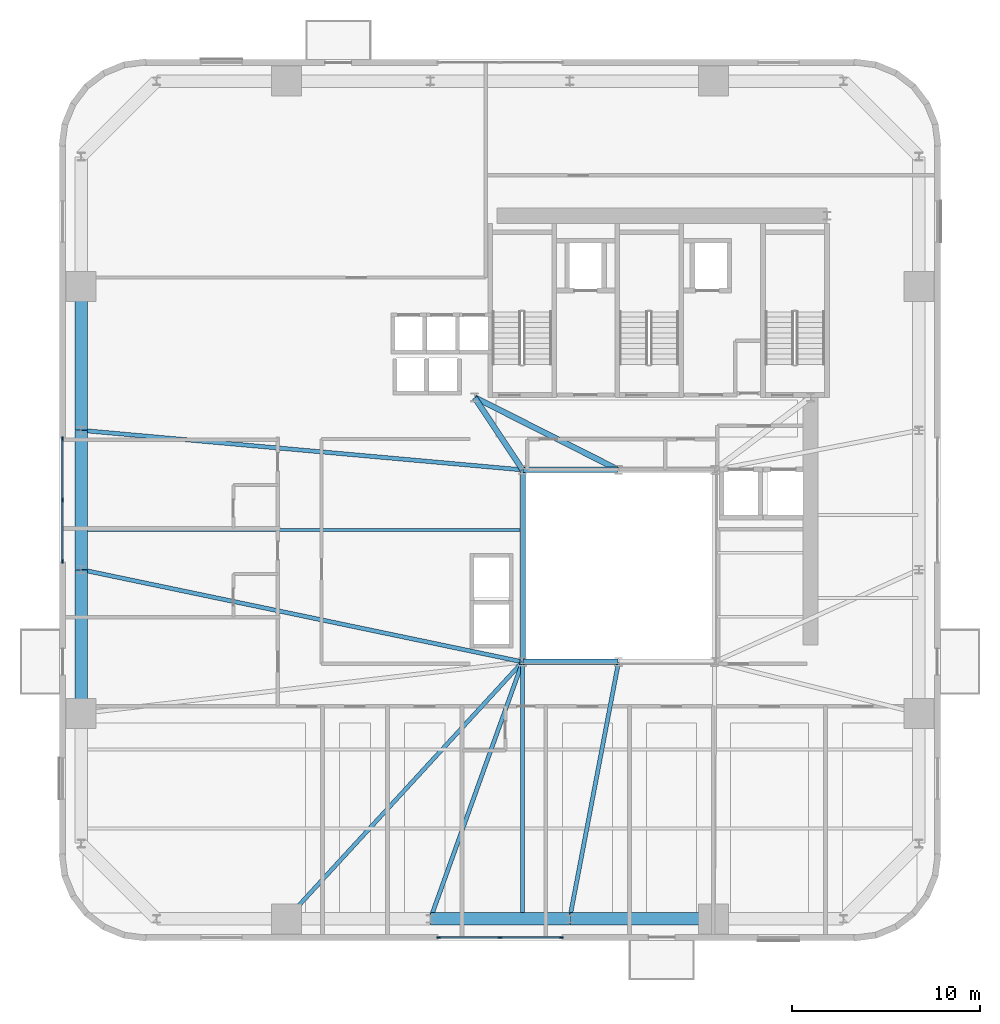
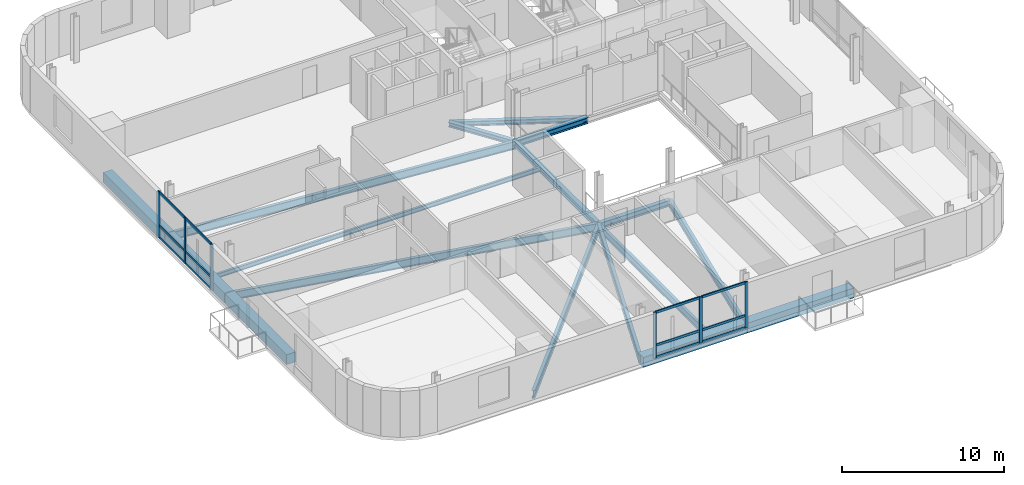
# One storey, part 2 of 14: 18 members, 17 beams, 2 elements without a shape of their own.
"""IFC4 building model written with IfcOpenShell, lengths in metres."""

from ifc_helpers import new_model, si_unit, direction, frame, origin, origin_2d, place, context, subcontext, project, spatial, rectangle, i_section, extrude, source, transform, mapped, material, material_profile, profile_set, type_object, element, aggregate, save


model = new_model("IFC4")

# Units and contexts
model_context = context("Model", 3, precision=1e-05, world=origin(), true_north=direction((0.0, 1.0)))
body_context = subcontext(model_context, "Body", "Model", "MODEL_VIEW")
ifc_project = project(units=[si_unit("LENGTHUNIT", "METRE"), si_unit("AREAUNIT", "SQUARE_METRE"), si_unit("VOLUMEUNIT", "CUBIC_METRE"), si_unit("PLANEANGLEUNIT", "RADIAN"), si_unit("MASSUNIT", "GRAM", prefix="KILO")], contexts=[model_context])

# Site, building, storey
site_placement = place(None, origin())
site = spatial("IfcSite", under=ifc_project, at=site_placement, CompositionType="ELEMENT")
building_placement = place(site_placement, origin())
building = spatial("IfcBuilding", under=site, at=building_placement, Name="Vardaveli Station Tower", CompositionType="ELEMENT")
storey_placement = place(building_placement, frame((0.0, 0.0, 129.800048828125)))
storey = spatial("IfcBuildingStorey", under=building, at=storey_placement, Name="L33", CompositionType="ELEMENT", Elevation=129.800048828125)

# Beams
ifc_material_1 = material(Name="Structural steel S355J2", Category="steel")
ifc_material_profile_1 = material_profile(ifc_material_1, i_section(OverallWidth=0.300048828125, OverallDepth=0.449951171875, WebThickness=0.013916015625, FlangeThickness=0.02587890625, FilletRadius=0.027099609375, at=origin_2d()), Name="HEB 450")
ifc_profile_set_1 = profile_set([ifc_material_profile_1], Name="Structural steel S355J2")
beam_type_1 = type_object("IfcBeamType", Name="BM-HEB450", PredefinedType="BEAM", material=ifc_profile_set_1)
shared_shape_1 = source(origin(), body_context, "Body", "SweptSolid", [
    extrude(i_section(OverallWidth=0.300048828125, OverallDepth=0.449951171875, WebThickness=0.013916015625, FlangeThickness=0.02587890625, FilletRadius=0.027099609375, at=origin_2d()), origin(), (0.0, 0.0, 1.0), 5.06005859375),
])
for number, where, z_axis, x_axis, name in (
    (1, (31.219970703125, 16.60009765625, -0.465087890625), (1.0, 0.0, 0.0), (0.0, 1.0, 0.0), "ABM-L33-01"),
    (2, (36.280029296875, 26.800048828125, -0.465087890625), (-1.0, 0.0, 0.0), (0.0, -1.0, 0.0), "ABM-L33-05"),
):
    element("IfcBeam", number, at=place(storey_placement, frame(where, z_axis=z_axis, x_axis=x_axis)), inside=storey, type_object=beam_type_1, Name=name, PredefinedType="BEAM", context=body_context, shape_type="MappedRepresentation", body=[
        mapped(shared_shape_1, transform((0.0, 0.0, 0.0), scale=1.0)),
    ])
shared_shape_2 = source(origin(), body_context, "Body", "SweptSolid", [
    extrude(i_section(OverallWidth=0.300048828125, OverallDepth=0.449951171875, WebThickness=0.013916015625, FlangeThickness=0.02587890625, FilletRadius=0.027099609375, at=origin_2d()), origin(), (0.0, 0.0, 1.0), 10.159912109375),
])
beam_1_placement = place(storey_placement, frame((31.199951171875, 26.780029296875, -0.465087890625), z_axis=(0.0, -1.0, 0.0), x_axis=(1.0, 0.0, 0.0)))
element("IfcBeam", 3, at=beam_1_placement, inside=storey, type_object=beam_type_1, Name="ABM-L33-06", PredefinedType="BEAM", context=body_context, shape_type="MappedRepresentation", body=[
    mapped(shared_shape_2, transform((0.0, 0.0, 0.0), scale=1.0)),
])
ifc_material_profile_2 = material_profile(ifc_material_1, i_section(OverallWidth=0.300048828125, OverallDepth=0.360107421875, WebThickness=0.012451171875, FlangeThickness=0.0224609375, FilletRadius=0.027099609375, at=origin_2d()), Name="HEB 360")
ifc_profile_set_2 = profile_set([ifc_material_profile_2], Name="Structural steel S355J2")
beam_type_2 = type_object("IfcBeamType", Name="BM-HEB360", PredefinedType="BEAM", material=ifc_profile_set_2)
shared_shape_3 = source(origin(), body_context, "Body", "SweptSolid", [
    extrude(i_section(OverallWidth=0.300048828125, OverallDepth=0.360107421875, WebThickness=0.012451171875, FlangeThickness=0.0224609375, FilletRadius=0.027099609375, at=origin_2d()), origin(), (0.0, 0.0, 1.0), 4.577880859375),
])
beam_2_placement = place(storey_placement, frame((31.18896484375, 26.816650390625, -0.420166015625), z_axis=(-0.55218702139, 0.833720272879, 0.0), x_axis=(-0.833720272879, -0.55218702139, 0.0)))
element("IfcBeam", 4, at=beam_2_placement, inside=storey, type_object=beam_type_2, Name="CBM-L33-01", PredefinedType="BEAM", context=body_context, shape_type="MappedRepresentation", body=[
    mapped(shared_shape_3, transform((0.0, 0.0, 0.0), scale=1.0)),
])
shared_shape_4 = source(origin(), body_context, "Body", "SweptSolid", [
    extrude(i_section(OverallWidth=0.300048828125, OverallDepth=0.360107421875, WebThickness=0.012451171875, FlangeThickness=0.0224609375, FilletRadius=0.027099609375, at=origin_2d()), origin(), (0.0, 0.0, 1.0), 8.524169921875),
])
beam_3_placement = place(storey_placement, frame((28.66796875, 30.64111328125, -0.420166015625), z_axis=(0.893255584708, -0.449549174605, 0.0), x_axis=(0.449549174605, 0.893255584708, 0.0)))
element("IfcBeam", 5, at=beam_3_placement, inside=storey, type_object=beam_type_2, Name="CBM-L33-03", PredefinedType="BEAM", context=body_context, shape_type="MappedRepresentation", body=[
    mapped(shared_shape_4, transform((0.0, 0.0, 0.0), scale=1.0)),
])
ifc_material_2 = material(Name="Precast concrete C45/55", Category="concrete")
ifc_material_profile_3 = material_profile(ifc_material_2, rectangle(XDim=0.64990234375, YDim=0.75, at=origin_2d()), Name="LPB 650x750")
ifc_profile_set_3 = profile_set([ifc_material_profile_3], Name="Precast concrete C45/55")
beam_type_3 = type_object("IfcBeamType", Name="BM-LPB-750", PredefinedType="BEAM", material=ifc_profile_set_3)
shared_shape_5 = source(origin(), body_context, "Body", "SweptSolid", [
    extrude(rectangle(XDim=0.64990234375, YDim=0.75, at=origin_2d()), origin(), (0.0, 0.0, 1.0), 7.60009765625),
])
for number, where, z_axis, x_axis, name in (
    (6, (33.719970703125, 2.949951171875, -0.614990234375), (1.0, 0.0, 0.0), (0.0, 1.0, 0.0), "RBM-L33-03"),
    (7, (7.75, 36.52001953125, -0.614990234375), (0.0, -1.0, 0.0), (1.0, 0.0, 0.0), "RBM-L33-19"),
    (8, (7.75, 21.47998046875, -0.614990234375), (0.0, -1.0, 0.0), (1.0, 0.0, 0.0), "RBM-L33-21"),
):
    element("IfcBeam", number, at=place(storey_placement, frame(where, z_axis=z_axis, x_axis=x_axis)), inside=storey, type_object=beam_type_3, Name=name, PredefinedType="BEAM", context=body_context, shape_type="MappedRepresentation", body=[
        mapped(shared_shape_5, transform((0.0, 0.0, 0.0), scale=1.0)),
    ])
shared_shape_6 = source(origin(), body_context, "Body", "SweptSolid", [
    extrude(rectangle(XDim=0.64990234375, YDim=0.75, at=origin_2d()), origin(), (0.0, 0.0, 1.0), 7.35986328125),
])
for number, where, z_axis, x_axis, name in (
    (9, (26.320068359375, 2.949951171875, -0.614990234375), (1.0, 0.0, 0.0), (0.0, 1.0, 0.0), "RBM-L33-02"),
    (10, (7.75, 28.8798828125, -0.614990234375), (0.0, -1.0, 0.0), (1.0, 0.0, 0.0), "RBM-L33-20"),
):
    element("IfcBeam", number, at=place(storey_placement, frame(where, z_axis=z_axis, x_axis=x_axis)), inside=storey, type_object=beam_type_3, Name=name, PredefinedType="BEAM", context=body_context, shape_type="MappedRepresentation", body=[
        mapped(shared_shape_6, transform((0.0, 0.0, 0.0), scale=1.0)),
    ])
ifc_material_profile_4 = material_profile(ifc_material_1, i_section(OverallWidth=0.2099609375, OverallDepth=0.550048828125, WebThickness=0.010986328125, FlangeThickness=0.01708984375, FilletRadius=0.02392578125, at=origin_2d()), Name="IPE 550")
ifc_profile_set_4 = profile_set([ifc_material_profile_4], Name="Structural steel S355J2")
beam_type_4 = type_object("IfcBeamType", Name="BM-IPE550", PredefinedType="BEAM", material=ifc_profile_set_4)
shared_shape_7 = source(origin(), body_context, "Body", "SweptSolid", [
    extrude(i_section(OverallWidth=0.2099609375, OverallDepth=0.550048828125, WebThickness=0.010986328125, FlangeThickness=0.01708984375, FilletRadius=0.02392578125, at=origin_2d()), origin(), (0.0, 0.0, 1.0), 13.469970703125),
])
beam_4_placement = place(storey_placement, frame((31.199951171875, 2.989990234375, -0.51513671875), z_axis=(0.0, 1.0, 0.0), x_axis=(-1.0, 0.0, 0.0)))
element("IfcBeam", 11, at=beam_4_placement, inside=storey, type_object=beam_type_4, Name="NSM-L33-S1", PredefinedType="BEAM", context=body_context, shape_type="MappedRepresentation", body=[
    mapped(shared_shape_7, transform((0.0, 0.0, 0.0), scale=1.0)),
])
ifc_material_profile_5 = material_profile(ifc_material_1, i_section(OverallWidth=0.159912109375, OverallDepth=0.330078125, WebThickness=0.007568359375, FlangeThickness=0.011474609375, FilletRadius=0.01806640625, at=origin_2d()), Name="IPE 330")
ifc_profile_set_5 = profile_set([ifc_material_profile_5], Name="Structural steel S355J2")
beam_type_5 = type_object("IfcBeamType", Name="BM-IPE330", PredefinedType="JOIST", material=ifc_profile_set_5)
shared_shape_8 = source(origin(), body_context, "Body", "SweptSolid", [
    extrude(i_section(OverallWidth=0.159912109375, OverallDepth=0.330078125, WebThickness=0.007568359375, FlangeThickness=0.011474609375, FilletRadius=0.01806640625, at=origin_2d()), origin(), (0.0, 0.0, 1.0), 23.2978515625),
])
beam_5_placement = place(storey_placement, frame((7.7900390625, 23.60009765625, -0.405029296875), z_axis=(1.0, 0.0, 0.0), x_axis=(0.0, 1.0, 0.0)))
element("IfcBeam", 12, at=beam_5_placement, inside=storey, type_object=beam_type_5, Name="SJ-L33-W06", PredefinedType="JOIST", context=body_context, shape_type="MappedRepresentation", body=[
    mapped(shared_shape_8, transform((0.0, 0.0, 0.0), scale=1.0)),
])
ifc_material_profile_6 = material_profile(ifc_material_1, i_section(OverallWidth=0.219970703125, OverallDepth=0.60009765625, WebThickness=0.011962890625, FlangeThickness=0.01904296875, FilletRadius=0.02392578125, at=origin_2d()), Name="IPE 600")
ifc_profile_set_6 = profile_set([ifc_material_profile_6], Name="Structural steel S355J2")
beam_type_6 = type_object("IfcBeamType", Name="BM-IPE600", PredefinedType="BEAM", material=ifc_profile_set_6)
shared_shape_9 = source(origin(), body_context, "Body", "SweptSolid", [
    extrude(i_section(OverallWidth=0.219970703125, OverallDepth=0.60009765625, WebThickness=0.011962890625, FlangeThickness=0.01904296875, FilletRadius=0.02392578125, at=origin_2d()), origin(), (0.0, 0.0, 1.0), 18.49560546875),
])
beam_6_placement = place(storey_placement, frame((18.673583984375, 2.96484375, -0.5400390625), z_axis=(0.676535341891, 0.736410165039, 0.0), x_axis=(-0.736410165039, 0.676535341891, 0.0)))
element("IfcBeam", 13, at=beam_6_placement, inside=storey, type_object=beam_type_6, Name="GBM-L33-01", PredefinedType="BEAM", context=body_context, shape_type="MappedRepresentation", body=[
    mapped(shared_shape_9, transform((0.0, 0.0, 0.0), scale=1.0)),
])
shared_shape_10 = source(origin(), body_context, "Body", "SweptSolid", [
    extrude(i_section(OverallWidth=0.219970703125, OverallDepth=0.60009765625, WebThickness=0.011962890625, FlangeThickness=0.01904296875, FilletRadius=0.02392578125, at=origin_2d()), origin(), (0.0, 0.0, 1.0), 14.462890625),
])
beam_7_placement = place(storey_placement, frame((26.306640625, 2.96875, -0.5400390625), z_axis=(0.337880090533, 0.941189165057, 0.0), x_axis=(-0.941189165057, 0.337880090533, 0.0)))
element("IfcBeam", 14, at=beam_7_placement, inside=storey, type_object=beam_type_6, Name="GBM-L33-02", PredefinedType="BEAM", context=body_context, shape_type="MappedRepresentation", body=[
    mapped(shared_shape_10, transform((0.0, 0.0, 0.0), scale=1.0)),
])
shared_shape_11 = source(origin(), body_context, "Body", "SweptSolid", [
    extrude(i_section(OverallWidth=0.219970703125, OverallDepth=0.60009765625, WebThickness=0.011962890625, FlangeThickness=0.01904296875, FilletRadius=0.02392578125, at=origin_2d()), origin(), (0.0, 0.0, 1.0), 13.855224609375),
])
beam_8_placement = place(storey_placement, frame((33.703857421875, 2.9697265625, -0.5400390625), z_axis=(0.187097533125, 0.982341342456, 0.0), x_axis=(-0.982341342456, 0.187097533125, 0.0)))
element("IfcBeam", 15, at=beam_8_placement, inside=storey, type_object=beam_type_6, Name="GBM-L33-03", PredefinedType="BEAM", context=body_context, shape_type="MappedRepresentation", body=[
    mapped(shared_shape_11, transform((0.0, 0.0, 0.0), scale=1.0)),
])
shared_shape_12 = source(origin(), body_context, "Body", "SweptSolid", [
    extrude(i_section(OverallWidth=0.219970703125, OverallDepth=0.60009765625, WebThickness=0.011962890625, FlangeThickness=0.01904296875, FilletRadius=0.02392578125, at=origin_2d()), origin(), (0.0, 0.0, 1.0), 23.50390625),
])
beam_9_placement = place(storey_placement, frame((7.77001953125, 28.898193359375, -0.5400390625), z_axis=(0.996014142198, -0.08919545135, 0.0), x_axis=(0.08919545135, 0.996014142198, 0.0)))
element("IfcBeam", 16, at=beam_9_placement, inside=storey, type_object=beam_type_6, Name="GBM-L33-08", PredefinedType="BEAM", context=body_context, shape_type="MappedRepresentation", body=[
    mapped(shared_shape_12, transform((0.0, 0.0, 0.0), scale=1.0)),
])
shared_shape_13 = source(origin(), body_context, "Body", "SweptSolid", [
    extrude(i_section(OverallWidth=0.219970703125, OverallDepth=0.60009765625, WebThickness=0.011962890625, FlangeThickness=0.01904296875, FilletRadius=0.02392578125, at=origin_2d()), origin(), (0.0, 0.0, 1.0), 23.91650390625),
])
beam_10_placement = place(storey_placement, frame((7.76953125, 21.495849609375, -0.5400390625), z_axis=(0.978858547354, -0.204538368703, 0.0), x_axis=(0.204538368703, 0.978858547354, 0.0)))
element("IfcBeam", 17, at=beam_10_placement, inside=storey, type_object=beam_type_6, Name="GBM-L33-09", PredefinedType="BEAM", context=body_context, shape_type="MappedRepresentation", body=[
    mapped(shared_shape_13, transform((0.0, 0.0, 0.0), scale=1.0)),
])

# Curtain wall, members
ifc_material_3 = material(Name="Travertine stone and solar-control glass", Category="masonry")
curtain_wall_type = type_object("IfcCurtainWallType", Name="CW-SYS-2", PredefinedType="NOTDEFINED", material=ifc_material_3)
curtain_wall_1_placement = place(storey_placement, origin())
curtain_wall_1 = element("IfcCurtainWall", 18, at=curtain_wall_1_placement, inside=storey, type_object=curtain_wall_type, Name="CW-L33-S", PredefinedType="NOTDEFINED")
ifc_material_4 = material(Name="Anodised aluminium alloy 6063-T6", Category="aluminium")
ifc_material_profile_7 = material_profile(ifc_material_4, rectangle(XDim=0.0849609375, YDim=0.179931640625, at=origin_2d()), Name="CWT 85x180")
ifc_profile_set_7 = profile_set([ifc_material_profile_7], Name="Anodised aluminium alloy 6063-T6")
member_type_1 = type_object("IfcMemberType", Name="CW-SYS-2-TRAN", PredefinedType="NOTDEFINED", material=ifc_profile_set_7)
shared_shape_14 = source(origin(), body_context, "Body", "SweptSolid", [
    extrude(rectangle(XDim=0.0849609375, YDim=0.179931640625, at=origin_2d()), origin(), (0.0, 0.0, 1.0), 3.172607421875),
])
member_1_placement = place(storey_placement, frame((26.784912109375, 1.9599609375, 0.04248046875), z_axis=(1.0, 0.0, 0.0), x_axis=(0.0, 1.0, 0.0)))
member_1 = element("IfcMember", 19, at=member_1_placement, type_object=member_type_1, Name="CW-2 transom 1.1", ObjectType="TRANSOM", PredefinedType="USERDEFINED", context=body_context, shape_type="MappedRepresentation", body=[
    mapped(shared_shape_14, transform((0.0, 0.0, 0.0), scale=1.0)),
])
member_2_placement = place(storey_placement, frame((26.784912109375, 1.9599609375, 0.949951171875), z_axis=(1.0, 0.0, 0.0), x_axis=(0.0, 1.0, 0.0)))
member_2 = element("IfcMember", 20, at=member_2_placement, type_object=member_type_1, Name="CW-2 transom 1.2", ObjectType="TRANSOM", PredefinedType="USERDEFINED", context=body_context, shape_type="MappedRepresentation", body=[
    mapped(shared_shape_14, transform((0.0, 0.0, 0.0), scale=1.0)),
])
member_3_placement = place(storey_placement, frame((26.784912109375, 1.9599609375, 3.41748046875), z_axis=(1.0, 0.0, 0.0), x_axis=(0.0, 1.0, 0.0)))
member_3 = element("IfcMember", 21, at=member_3_placement, type_object=member_type_1, Name="CW-2 transom 1.3", ObjectType="TRANSOM", PredefinedType="USERDEFINED", context=body_context, shape_type="MappedRepresentation", body=[
    mapped(shared_shape_14, transform((0.0, 0.0, 0.0), scale=1.0)),
])
member_4_placement = place(storey_placement, frame((30.04248046875, 1.9599609375, 0.04248046875), z_axis=(1.0, 0.0, 0.0), x_axis=(0.0, 1.0, 0.0)))
member_4 = element("IfcMember", 22, at=member_4_placement, type_object=member_type_1, Name="CW-2 transom 2.1", ObjectType="TRANSOM", PredefinedType="USERDEFINED", context=body_context, shape_type="MappedRepresentation", body=[
    mapped(shared_shape_14, transform((0.0, 0.0, 0.0), scale=1.0)),
])
member_5_placement = place(storey_placement, frame((30.04248046875, 1.9599609375, 0.949951171875), z_axis=(1.0, 0.0, 0.0), x_axis=(0.0, 1.0, 0.0)))
member_5 = element("IfcMember", 23, at=member_5_placement, type_object=member_type_1, Name="CW-2 transom 2.2", ObjectType="TRANSOM", PredefinedType="USERDEFINED", context=body_context, shape_type="MappedRepresentation", body=[
    mapped(shared_shape_14, transform((0.0, 0.0, 0.0), scale=1.0)),
])
member_6_placement = place(storey_placement, frame((30.04248046875, 1.9599609375, 3.41748046875), z_axis=(1.0, 0.0, 0.0), x_axis=(0.0, 1.0, 0.0)))
member_6 = element("IfcMember", 24, at=member_6_placement, type_object=member_type_1, Name="CW-2 transom 2.3", ObjectType="TRANSOM", PredefinedType="USERDEFINED", context=body_context, shape_type="MappedRepresentation", body=[
    mapped(shared_shape_14, transform((0.0, 0.0, 0.0), scale=1.0)),
])

curtain_wall_2_placement = place(storey_placement, origin())
curtain_wall_2 = element("IfcCurtainWall", 25, at=curtain_wall_2_placement, inside=storey, type_object=curtain_wall_type, Name="CW-L33-W", PredefinedType="NOTDEFINED")
member_7_placement = place(storey_placement, frame((6.760009765625, 28.4150390625, 0.04248046875), z_axis=(0.0, -1.0, 0.0), x_axis=(1.0, 0.0, 0.0)))
member_7 = element("IfcMember", 26, at=member_7_placement, type_object=member_type_1, Name="CW-2 transom 1.1", ObjectType="TRANSOM", PredefinedType="USERDEFINED", context=body_context, shape_type="MappedRepresentation", body=[
    mapped(shared_shape_14, transform((0.0, 0.0, 0.0), scale=1.0)),
])
member_8_placement = place(storey_placement, frame((6.760009765625, 28.4150390625, 0.949951171875), z_axis=(0.0, -1.0, 0.0), x_axis=(1.0, 0.0, 0.0)))
member_8 = element("IfcMember", 27, at=member_8_placement, type_object=member_type_1, Name="CW-2 transom 1.2", ObjectType="TRANSOM", PredefinedType="USERDEFINED", context=body_context, shape_type="MappedRepresentation", body=[
    mapped(shared_shape_14, transform((0.0, 0.0, 0.0), scale=1.0)),
])
member_9_placement = place(storey_placement, frame((6.760009765625, 28.4150390625, 3.41748046875), z_axis=(0.0, -1.0, 0.0), x_axis=(1.0, 0.0, 0.0)))
member_9 = element("IfcMember", 28, at=member_9_placement, type_object=member_type_1, Name="CW-2 transom 1.3", ObjectType="TRANSOM", PredefinedType="USERDEFINED", context=body_context, shape_type="MappedRepresentation", body=[
    mapped(shared_shape_14, transform((0.0, 0.0, 0.0), scale=1.0)),
])
shared_shape_15 = source(origin(), body_context, "Body", "SweptSolid", [
    extrude(rectangle(XDim=0.0849609375, YDim=0.179931640625, at=origin_2d()), origin(), (0.0, 0.0, 1.0), 3.17236328125),
])
member_10_placement = place(storey_placement, frame((6.760009765625, 25.157470703125, 0.04248046875), z_axis=(0.0, -1.0, 0.0), x_axis=(1.0, 0.0, 0.0)))
member_10 = element("IfcMember", 29, at=member_10_placement, type_object=member_type_1, Name="CW-2 transom 2.1", ObjectType="TRANSOM", PredefinedType="USERDEFINED", context=body_context, shape_type="MappedRepresentation", body=[
    mapped(shared_shape_15, transform((0.0, 0.0, 0.0), scale=1.0)),
])
member_11_placement = place(storey_placement, frame((6.760009765625, 25.157470703125, 0.949951171875), z_axis=(0.0, -1.0, 0.0), x_axis=(1.0, 0.0, 0.0)))
member_11 = element("IfcMember", 30, at=member_11_placement, type_object=member_type_1, Name="CW-2 transom 2.2", ObjectType="TRANSOM", PredefinedType="USERDEFINED", context=body_context, shape_type="MappedRepresentation", body=[
    mapped(shared_shape_15, transform((0.0, 0.0, 0.0), scale=1.0)),
])
member_12_placement = place(storey_placement, frame((6.760009765625, 25.157470703125, 3.41748046875), z_axis=(0.0, -1.0, 0.0), x_axis=(1.0, 0.0, 0.0)))
member_12 = element("IfcMember", 31, at=member_12_placement, type_object=member_type_1, Name="CW-2 transom 2.3", ObjectType="TRANSOM", PredefinedType="USERDEFINED", context=body_context, shape_type="MappedRepresentation", body=[
    mapped(shared_shape_15, transform((0.0, 0.0, 0.0), scale=1.0)),
])

# Member
ifc_material_profile_8 = material_profile(ifc_material_4, rectangle(XDim=0.0849609375, YDim=0.219970703125, at=origin_2d()), Name="CWM 85x220")
ifc_profile_set_8 = profile_set([ifc_material_profile_8], Name="Anodised aluminium alloy 6063-T6")
member_type_2 = type_object("IfcMemberType", Name="CW-SYS-2-MULL", PredefinedType="MULLION", material=ifc_profile_set_8)
shared_shape_16 = source(origin(), body_context, "Body", "SweptSolid", [
    extrude(rectangle(XDim=0.0849609375, YDim=0.219970703125, at=origin_2d()), origin(), (0.0, 0.0, 1.0), 3.4599609375),
])
member_13_placement = place(storey_placement, frame((26.742431640625, 1.9599609375, 0.0), z_axis=(0.0, 0.0, 1.0), x_axis=(0.0, 1.0, 0.0)))
member_13 = element("IfcMember", 32, at=member_13_placement, type_object=member_type_2, Name="CW-2 mullion 1", PredefinedType="MULLION", context=body_context, shape_type="MappedRepresentation", body=[
    mapped(shared_shape_16, transform((0.0, 0.0, 0.0), scale=1.0)),
])

member_14_placement = place(storey_placement, frame((30.0, 1.9599609375, 0.0), z_axis=(0.0, 0.0, 1.0), x_axis=(0.0, 1.0, 0.0)))
member_14 = element("IfcMember", 33, at=member_14_placement, type_object=member_type_2, Name="CW-2 mullion 2", PredefinedType="MULLION", context=body_context, shape_type="MappedRepresentation", body=[
    mapped(shared_shape_16, transform((0.0, 0.0, 0.0), scale=1.0)),
])

member_15_placement = place(storey_placement, frame((33.257568359375, 1.9599609375, 0.0), z_axis=(0.0, 0.0, 1.0), x_axis=(0.0, 1.0, 0.0)))
member_15 = element("IfcMember", 34, at=member_15_placement, type_object=member_type_2, Name="CW-2 mullion 3", PredefinedType="MULLION", context=body_context, shape_type="MappedRepresentation", body=[
    mapped(shared_shape_16, transform((0.0, 0.0, 0.0), scale=1.0)),
])

aggregate(curtain_wall_1, [member_13, member_14, member_15, member_1, member_2, member_3, member_4, member_5, member_6])

member_16_placement = place(storey_placement, frame((6.760009765625, 28.45751953125, 0.0), z_axis=(0.0, 0.0, 1.0), x_axis=(1.0, 0.0, 0.0)))
member_16 = element("IfcMember", 35, at=member_16_placement, type_object=member_type_2, Name="CW-2 mullion 1", PredefinedType="MULLION", context=body_context, shape_type="MappedRepresentation", body=[
    mapped(shared_shape_16, transform((0.0, 0.0, 0.0), scale=1.0)),
])

member_17_placement = place(storey_placement, frame((6.760009765625, 25.199951171875, 0.0), z_axis=(0.0, 0.0, 1.0), x_axis=(1.0, 0.0, 0.0)))
member_17 = element("IfcMember", 36, at=member_17_placement, type_object=member_type_2, Name="CW-2 mullion 2", PredefinedType="MULLION", context=body_context, shape_type="MappedRepresentation", body=[
    mapped(shared_shape_16, transform((0.0, 0.0, 0.0), scale=1.0)),
])

member_18_placement = place(storey_placement, frame((6.760009765625, 21.9423828125, 0.0), z_axis=(0.0, 0.0, 1.0), x_axis=(1.0, 0.0, 0.0)))
member_18 = element("IfcMember", 37, at=member_18_placement, type_object=member_type_2, Name="CW-2 mullion 3", PredefinedType="MULLION", context=body_context, shape_type="MappedRepresentation", body=[
    mapped(shared_shape_16, transform((0.0, 0.0, 0.0), scale=1.0)),
])

aggregate(curtain_wall_2, [member_16, member_17, member_18, member_7, member_8, member_9, member_10, member_11, member_12])

save(model, "model.ifc")
